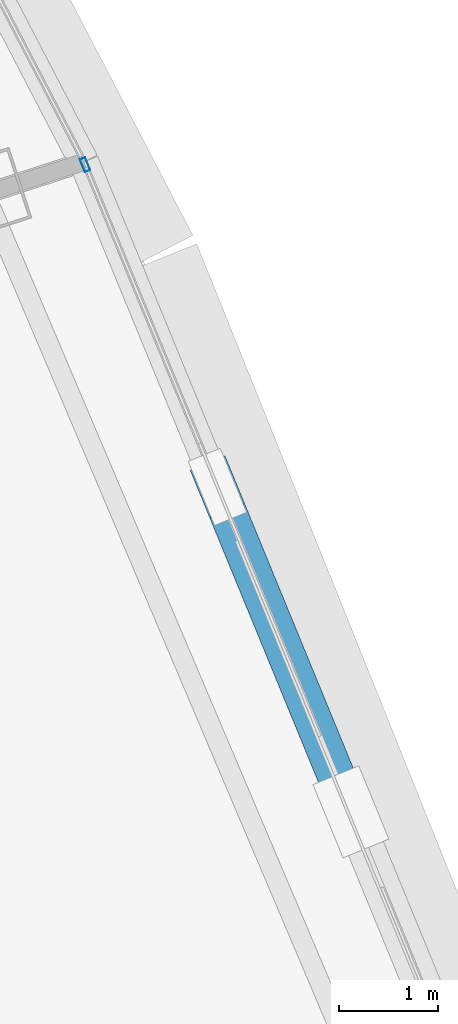
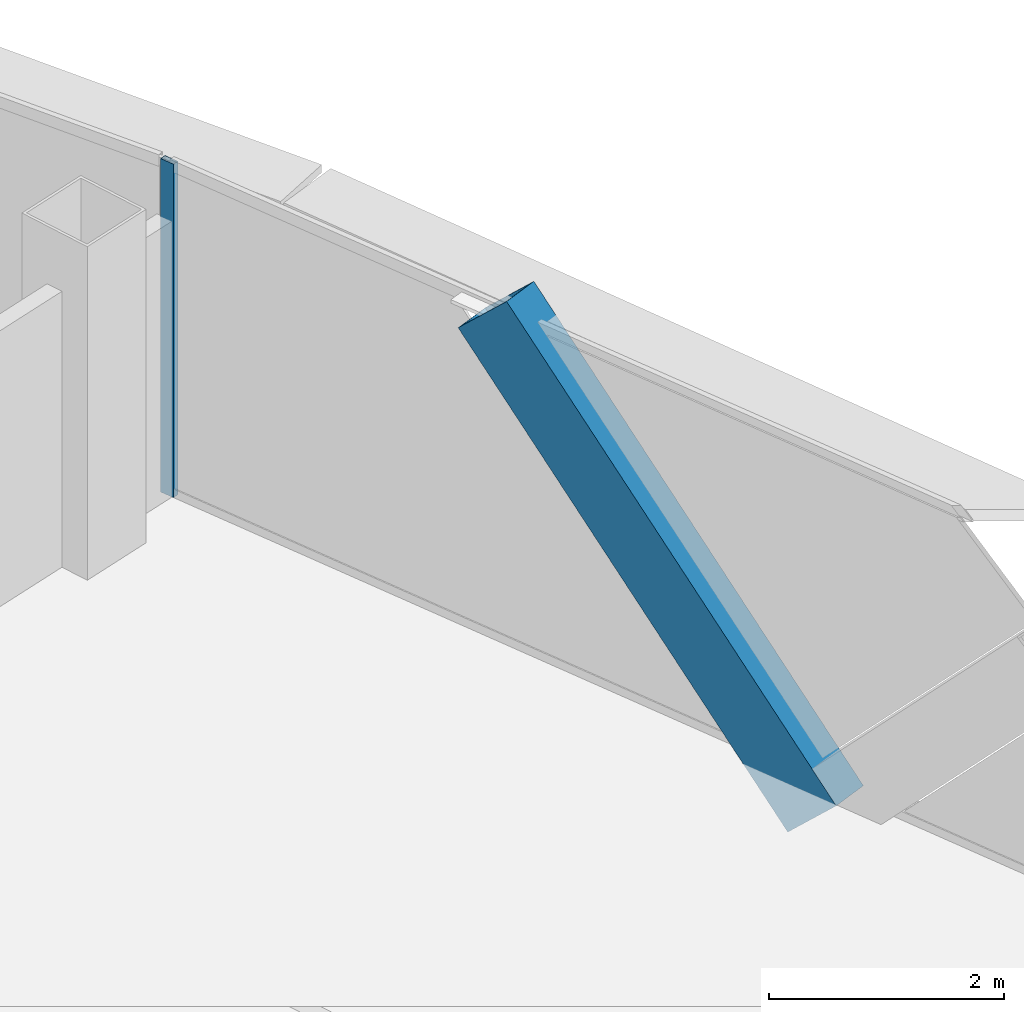
# One storey, part 18 of 33: 2 members, 1 element without a shape of its own.
"""IFC4 building model written with IfcOpenShell, lengths in metres."""

from ifc_helpers import new_model, si_unit, direction, frame, origin, origin_2d, place, context, subcontext, project, spatial, hollow_rectangle, extrude, source, transform, mapped, material, layer, layer_set, material_profile, profile_set, type_object, element, aggregate, save


model = new_model("IFC4")

# Units and contexts
model_context = context("Model", 3, precision=1e-05, world=origin(), true_north=direction((0.0, 1.0)))
body_context = subcontext(model_context, "Body", "Model", "MODEL_VIEW")
ifc_project = project(units=[si_unit("LENGTHUNIT", "METRE"), si_unit("AREAUNIT", "SQUARE_METRE"), si_unit("VOLUMEUNIT", "CUBIC_METRE"), si_unit("PLANEANGLEUNIT", "RADIAN"), si_unit("MASSUNIT", "GRAM", prefix="KILO"), si_unit("THERMODYNAMICTEMPERATUREUNIT", "KELVIN"), si_unit("POWERUNIT", "WATT")], contexts=[model_context])

# Site, building, storey
site_placement = place(None, origin())
site = spatial("IfcSite", under=ifc_project, at=site_placement, CompositionType="ELEMENT")
building_placement = place(site_placement, origin())
building = spatial("IfcBuilding", under=site, at=building_placement, Name="Yunzhuo Pagoda Commons", CompositionType="ELEMENT")
storey_placement = place(building_placement, frame((0.0, 0.0, 311.1298828125)))
storey = spatial("IfcBuildingStorey", under=building, at=storey_placement, Name="L78", CompositionType="ELEMENT", Elevation=311.1298828125)

# Member
ifc_material_1 = material(Name="Structural steel Q355B", Category="steel")
ifc_material_profile_1 = material_profile(ifc_material_1, hollow_rectangle(XDim=0.3798828125, YDim=0.719970703125, WallThickness=0.02001953125, at=origin_2d()), Name="Structural steel Q355B")
ifc_profile_set_1 = profile_set([ifc_material_profile_1], Name="Structural steel Q355B")
member_type_1 = type_object("IfcMemberType", Name="M-DL3 Brace BOX 720x380x20", PredefinedType="BRACE", material=ifc_profile_set_1)
shared_shape_1 = source(origin(), body_context, "Body", "SweptSolid", [
    extrude(hollow_rectangle(XDim=0.3798828125, YDim=0.719970703125, WallThickness=0.02001953125, at=origin_2d()), origin(), (0.0, 0.0, 1.0), 5.14892578125),
])
member_1_placement = place(storey_placement, frame((74.998291015625, 35.02978515625, -0.259765625), z_axis=(-0.261927301891, 0.637653576363, 0.724425292957), x_axis=(-0.925002551131, -0.379960893252, 0.0)))
element("IfcMember", 1, at=member_1_placement, inside=storey, type_object=member_type_1, Name="L78 facade diamond brace F2.1R", PredefinedType="BRACE", context=body_context, shape_type="MappedRepresentation", body=[
    mapped(shared_shape_1, transform((0.0, 0.0, 0.0), scale=1.0)),
])

# Curtain wall, member
ifc_material_2 = material(Name="Anodized aluminium 6063-T6", Category="aluminium")
ifc_layer = layer(ifc_material_2, 0.139892578125)
ifc_layer_set = layer_set([ifc_layer], Name="Anodized aluminium 6063-T6")
curtain_wall_type = type_object("IfcCurtainWallType", Name="CW-HI High-Zone Ribbon Curtain Wall", PredefinedType="NOTDEFINED", material=ifc_layer_set)
curtain_wall_placement = place(storey_placement, origin())
curtain_wall = element("IfcCurtainWall", 2, at=curtain_wall_placement, inside=storey, type_object=curtain_wall_type, Name="L78 curtain wall CW-L78-F2B2", PredefinedType="NOTDEFINED")
ifc_material_profile_2 = material_profile(ifc_material_2, hollow_rectangle(XDim=0.06005859375, YDim=0.139892578125, WallThickness=0.00341796875, at=origin_2d()), Name="Anodized aluminium 6063-T6")
ifc_profile_set_2 = profile_set([ifc_material_profile_2], Name="Anodized aluminium 6063-T6")
member_type_2 = type_object("IfcMemberType", Name="CW-HI-M Mullion RHS 140x60x3.5", PredefinedType="MULLION", material=ifc_profile_set_2)
shared_shape_2 = source(origin(), body_context, "Body", "SweptSolid", [
    extrude(hollow_rectangle(XDim=0.06005859375, YDim=0.139892578125, WallThickness=0.00341796875, at=origin_2d()), origin(), (0.0, 0.0, 1.0), 3.47021484375),
])
member_2_placement = place(storey_placement, frame((72.3125, 41.568115234375, 0.0), z_axis=(0.0, 0.0, 1.0), x_axis=(-0.924975207531, -0.380027453552, 0.0)))
member_2 = element("IfcMember", 3, at=member_2_placement, type_object=member_type_2, Name="CW mullion 2", PredefinedType="MULLION", context=body_context, shape_type="MappedRepresentation", body=[
    mapped(shared_shape_2, transform((0.0, 0.0, 0.0), scale=1.0)),
])
aggregate(curtain_wall, [member_2])

save(model, "model.ifc")
